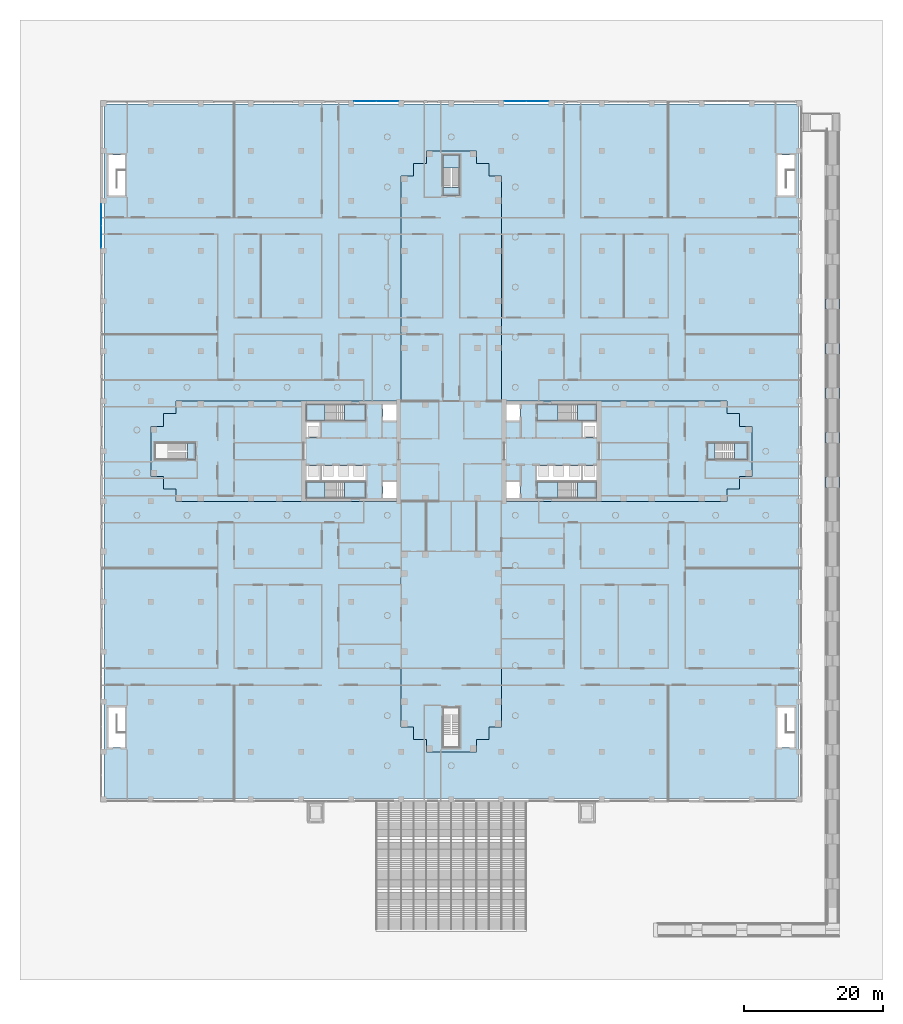
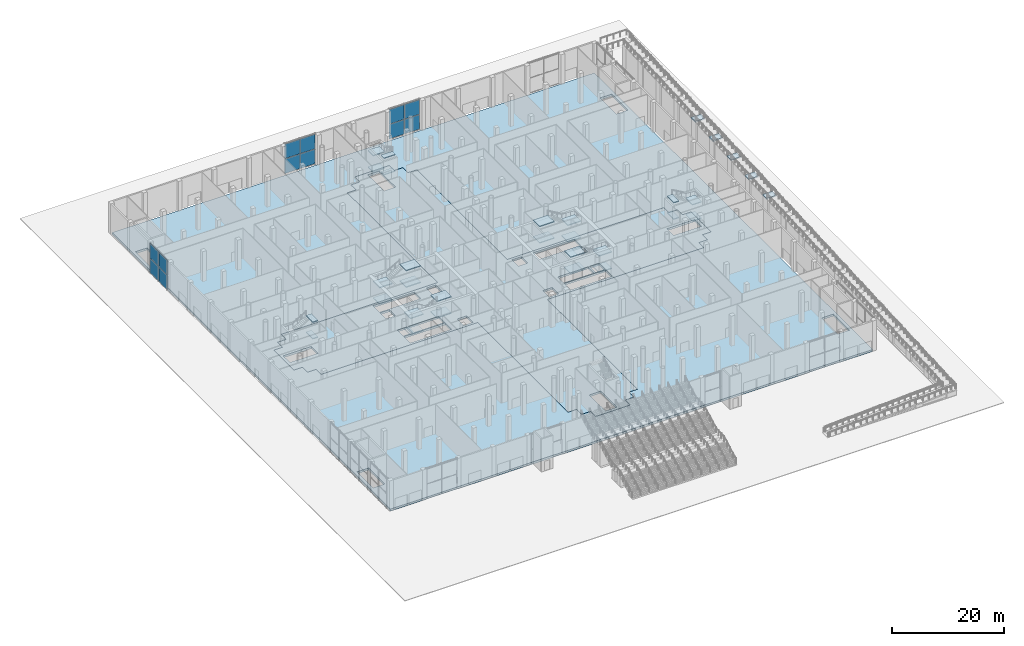
# One storey, part 13 of 44: 33 slabs, 12 plates, 11 elements without a shape of their own.
"""IFC4 building model written with IfcOpenShell, lengths in metres."""

from ifc_helpers import new_model, si_unit, direction, frame, origin, origin_2d, place, context, subcontext, project, spatial, polyline, rectangle, outline, extrude, material, layer, layer_set, type_object, element, aggregate, save


model = new_model("IFC4")

# Units and contexts
model_context = context("Model", 3, precision=1e-05, world=origin(), true_north=direction((0.0, 1.0)))
body_context = subcontext(model_context, "Body", "Model", "MODEL_VIEW")
ifc_project = project(units=[si_unit("LENGTHUNIT", "METRE"), si_unit("AREAUNIT", "SQUARE_METRE"), si_unit("VOLUMEUNIT", "CUBIC_METRE"), si_unit("PLANEANGLEUNIT", "RADIAN"), si_unit("MASSUNIT", "GRAM", prefix="KILO")], contexts=[model_context])

# Site, building, storey
site_placement = place(None, origin())
site = spatial("IfcSite", under=ifc_project, at=site_placement, CompositionType="ELEMENT")
building_placement = place(site_placement, origin())
building = spatial("IfcBuilding", under=site, at=building_placement, Name="Fustian Cross Tower", CompositionType="ELEMENT")
storey_placement = place(building_placement, origin())
storey = spatial("IfcBuildingStorey", under=building, at=storey_placement, Name="L00", CompositionType="ELEMENT", Elevation=0.0)

# Curtain wall, plates
ifc_material_1 = material(Name="Glass", Category="glass")
curtain_wall_type = type_object("IfcCurtainWallType", Name="CW3 CURTAIN WALL", PredefinedType="NOTDEFINED", material=ifc_material_1)
curtain_wall_1_placement = place(storey_placement, origin())
curtain_wall_1 = element("IfcCurtainWall", 1, at=curtain_wall_1_placement, inside=storey, type_object=curtain_wall_type, Name="Curtain wall CW3", PredefinedType="NOTDEFINED")
ifc_material_2 = material(Name="Glass", Category="glass")
ifc_layer_1 = layer(ifc_material_2, 0.028076171875)
ifc_layer_set_1 = layer_set([ifc_layer_1], Name="Glass")
plate_type = type_object("IfcPlateType", Name="CW3 PANEL IGU28", PredefinedType="CURTAIN_PANEL", material=ifc_layer_set_1)
plate_1_placement = place(storey_placement, frame((12.385009765625, 50.320068359375, 0.06005859375), z_axis=(0.0, 0.0, 1.0), x_axis=(-1.0, 0.0, 0.0)))
plate_1 = element("IfcPlate", 2, at=plate_1_placement, type_object=plate_type, Name="CW3 panel 1.1", PredefinedType="CURTAIN_PANEL", context=body_context, shape_type="SweptSolid", body=[
    extrude(rectangle(XDim=3.110107421875, YDim=0.028076171875, at=origin_2d()), origin(), (0.0, 0.0, 1.0), 3.2099609375),
])
plate_2_placement = place(storey_placement, frame((12.385009765625, 50.320068359375, 3.330078125), z_axis=(0.0, 0.0, 1.0), x_axis=(-1.0, 0.0, 0.0)))
plate_2 = element("IfcPlate", 3, at=plate_2_placement, type_object=plate_type, Name="CW3 panel 1.2", PredefinedType="CURTAIN_PANEL", context=body_context, shape_type="SweptSolid", body=[
    extrude(rectangle(XDim=3.110107421875, YDim=0.028076171875, at=origin_2d()), origin(), (0.0, 0.0, 1.0), 3.2099609375),
])
plate_3_placement = place(storey_placement, frame((9.215087890625, 50.320068359375, 0.06005859375), z_axis=(0.0, 0.0, 1.0), x_axis=(-1.0, 0.0, 0.0)))
plate_3 = element("IfcPlate", 4, at=plate_3_placement, type_object=plate_type, Name="CW3 panel 2.1", PredefinedType="CURTAIN_PANEL", context=body_context, shape_type="SweptSolid", body=[
    extrude(rectangle(XDim=3.110107421875, YDim=0.028076171875, at=origin_2d()), origin(), (0.0, 0.0, 1.0), 3.2099609375),
])
plate_4_placement = place(storey_placement, frame((9.215087890625, 50.320068359375, 3.330078125), z_axis=(0.0, 0.0, 1.0), x_axis=(-1.0, 0.0, 0.0)))
plate_4 = element("IfcPlate", 5, at=plate_4_placement, type_object=plate_type, Name="CW3 panel 2.2", PredefinedType="CURTAIN_PANEL", context=body_context, shape_type="SweptSolid", body=[
    extrude(rectangle(XDim=3.110107421875, YDim=0.028076171875, at=origin_2d()), origin(), (0.0, 0.0, 1.0), 3.2099609375),
])
aggregate(curtain_wall_1, [plate_1, plate_2, plate_3, plate_4])

curtain_wall_2_placement = place(storey_placement, origin())
curtain_wall_2 = element("IfcCurtainWall", 6, at=curtain_wall_2_placement, inside=storey, type_object=curtain_wall_type, Name="Curtain wall CW3", PredefinedType="NOTDEFINED")
plate_5_placement = place(storey_placement, frame((-9.215087890625, 50.320068359375, 0.06005859375), z_axis=(0.0, 0.0, 1.0), x_axis=(-1.0, 0.0, 0.0)))
plate_5 = element("IfcPlate", 7, at=plate_5_placement, type_object=plate_type, Name="CW3 panel 1.1", PredefinedType="CURTAIN_PANEL", context=body_context, shape_type="SweptSolid", body=[
    extrude(rectangle(XDim=3.110107421875, YDim=0.028076171875, at=origin_2d()), origin(), (0.0, 0.0, 1.0), 3.2099609375),
])
plate_6_placement = place(storey_placement, frame((-9.215087890625, 50.320068359375, 3.330078125), z_axis=(0.0, 0.0, 1.0), x_axis=(-1.0, 0.0, 0.0)))
plate_6 = element("IfcPlate", 8, at=plate_6_placement, type_object=plate_type, Name="CW3 panel 1.2", PredefinedType="CURTAIN_PANEL", context=body_context, shape_type="SweptSolid", body=[
    extrude(rectangle(XDim=3.110107421875, YDim=0.028076171875, at=origin_2d()), origin(), (0.0, 0.0, 1.0), 3.2099609375),
])
plate_7_placement = place(storey_placement, frame((-12.385009765625, 50.320068359375, 0.06005859375), z_axis=(0.0, 0.0, 1.0), x_axis=(-1.0, 0.0, 0.0)))
plate_7 = element("IfcPlate", 9, at=plate_7_placement, type_object=plate_type, Name="CW3 panel 2.1", PredefinedType="CURTAIN_PANEL", context=body_context, shape_type="SweptSolid", body=[
    extrude(rectangle(XDim=3.110107421875, YDim=0.028076171875, at=origin_2d()), origin(), (0.0, 0.0, 1.0), 3.2099609375),
])
plate_8_placement = place(storey_placement, frame((-12.385009765625, 50.320068359375, 3.330078125), z_axis=(0.0, 0.0, 1.0), x_axis=(-1.0, 0.0, 0.0)))
plate_8 = element("IfcPlate", 10, at=plate_8_placement, type_object=plate_type, Name="CW3 panel 2.2", PredefinedType="CURTAIN_PANEL", context=body_context, shape_type="SweptSolid", body=[
    extrude(rectangle(XDim=3.110107421875, YDim=0.028076171875, at=origin_2d()), origin(), (0.0, 0.0, 1.0), 3.2099609375),
])
aggregate(curtain_wall_2, [plate_5, plate_6, plate_7, plate_8])

curtain_wall_3_placement = place(storey_placement, origin())
curtain_wall_3 = element("IfcCurtainWall", 11, at=curtain_wall_3_placement, inside=storey, type_object=curtain_wall_type, Name="Curtain wall CW3", PredefinedType="NOTDEFINED")
plate_9_placement = place(storey_placement, frame((-50.320068359375, 33.985107421875, 0.06005859375), z_axis=(0.0, 0.0, 1.0), x_axis=(0.0, -1.0, 0.0)))
plate_9 = element("IfcPlate", 12, at=plate_9_placement, type_object=plate_type, Name="CW3 panel 1.1", PredefinedType="CURTAIN_PANEL", context=body_context, shape_type="SweptSolid", body=[
    extrude(rectangle(XDim=3.110107421875, YDim=0.028076171875, at=origin_2d()), origin(), (0.0, 0.0, 1.0), 3.2099609375),
])
plate_10_placement = place(storey_placement, frame((-50.320068359375, 33.985107421875, 3.330078125), z_axis=(0.0, 0.0, 1.0), x_axis=(0.0, -1.0, 0.0)))
plate_10 = element("IfcPlate", 13, at=plate_10_placement, type_object=plate_type, Name="CW3 panel 1.2", PredefinedType="CURTAIN_PANEL", context=body_context, shape_type="SweptSolid", body=[
    extrude(rectangle(XDim=3.110107421875, YDim=0.028076171875, at=origin_2d()), origin(), (0.0, 0.0, 1.0), 3.2099609375),
])
plate_11_placement = place(storey_placement, frame((-50.320068359375, 30.81494140625, 0.06005859375), z_axis=(0.0, 0.0, 1.0), x_axis=(0.0, -1.0, 0.0)))
plate_11 = element("IfcPlate", 14, at=plate_11_placement, type_object=plate_type, Name="CW3 panel 2.1", PredefinedType="CURTAIN_PANEL", context=body_context, shape_type="SweptSolid", body=[
    extrude(rectangle(XDim=3.110107421875, YDim=0.028076171875, at=origin_2d()), origin(), (0.0, 0.0, 1.0), 3.2099609375),
])
plate_12_placement = place(storey_placement, frame((-50.320068359375, 30.81494140625, 3.330078125), z_axis=(0.0, 0.0, 1.0), x_axis=(0.0, -1.0, 0.0)))
plate_12 = element("IfcPlate", 15, at=plate_12_placement, type_object=plate_type, Name="CW3 panel 2.2", PredefinedType="CURTAIN_PANEL", context=body_context, shape_type="SweptSolid", body=[
    extrude(rectangle(XDim=3.110107421875, YDim=0.028076171875, at=origin_2d()), origin(), (0.0, 0.0, 1.0), 3.2099609375),
])
aggregate(curtain_wall_3, [plate_9, plate_10, plate_11, plate_12])

# Slabs
ifc_material_3 = material(Name="Concrete C40/50", Category="concrete")
ifc_layer_2 = layer(ifc_material_3, 0.449951171875)
ifc_layer_set_2 = layer_set([ifc_layer_2], Name="Concrete C40/50")
slab_type_1 = type_object("IfcSlabType", Name="FLAT SLAB 450", PredefinedType="FLOOR", material=ifc_layer_set_2)
slab_1_placement = place(storey_placement, frame((0.0, 0.0, -0.449951171875)))
element("IfcSlab", 16, at=slab_1_placement, inside=storey, type_object=slab_type_1, Name="FLOOR SLAB L00-1", PredefinedType="FLOOR", context=body_context, shape_type="SweptSolid", body=[
    extrude(outline(polyline([(7.199951171875, -39.60009765625), (5.39990234375, -39.60009765625), (5.39990234375, -41.39990234375), (3.60009765625, -41.39990234375), (3.60009765625, -43.199951171875), (-3.60009765625, -43.199951171875), (-3.60009765625, -41.39990234375), (-5.39990234375, -41.39990234375), (-5.39990234375, -39.60009765625), (-7.199951171875, -39.60009765625), (-7.199951171875, -7.199951171875), (-39.60009765625, -7.199951171875), (-39.60009765625, -5.39990234375), (-41.39990234375, -5.39990234375), (-41.39990234375, -3.60009765625), (-43.199951171875, -3.60009765625), (-43.199951171875, 3.60009765625), (-41.39990234375, 3.60009765625), (-41.39990234375, 5.39990234375), (-39.60009765625, 5.39990234375), (-39.60009765625, 7.199951171875), (-7.199951171875, 7.199951171875), (-7.199951171875, 39.60009765625), (-5.39990234375, 39.60009765625), (-5.39990234375, 41.39990234375), (-3.60009765625, 41.39990234375), (-3.60009765625, 43.199951171875), (3.60009765625, 43.199951171875), (3.60009765625, 41.39990234375), (5.39990234375, 41.39990234375), (5.39990234375, 39.60009765625), (7.199951171875, 39.60009765625), (7.199951171875, 7.199951171875), (39.60009765625, 7.199951171875), (39.60009765625, 5.39990234375), (41.39990234375, 5.39990234375), (41.39990234375, 3.60009765625), (43.199951171875, 3.60009765625), (43.199951171875, -3.60009765625), (41.39990234375, -3.60009765625), (41.39990234375, -5.39990234375), (39.60009765625, -5.39990234375), (39.60009765625, -7.199951171875), (7.199951171875, -7.199951171875), (7.199951171875, -39.60009765625)]), holes=[polyline([(18.89990234375, -4.14990234375), (20.85009765625, -4.14990234375), (20.85009765625, -2.050048828125), (18.89990234375, -2.050048828125), (18.89990234375, -4.14990234375)]), polyline([(18.89990234375, 4.14990234375), (18.89990234375, 2.050048828125), (20.85009765625, 2.050048828125), (20.85009765625, 4.14990234375), (18.89990234375, 4.14990234375)]), polyline([(9.85009765625, 6.699951171875), (7.89990234375, 6.699951171875), (7.89990234375, 4.39990234375), (9.85009765625, 4.39990234375), (9.85009765625, 6.699951171875)]), polyline([(9.85009765625, -6.699951171875), (9.85009765625, -4.39990234375), (7.89990234375, -4.39990234375), (7.89990234375, -6.699951171875), (9.85009765625, -6.699951171875)]), polyline([(-20.85009765625, -4.14990234375), (-18.89990234375, -4.14990234375), (-18.89990234375, -2.050048828125), (-20.85009765625, -2.050048828125), (-20.85009765625, -4.14990234375)]), polyline([(-20.85009765625, 4.14990234375), (-20.85009765625, 2.050048828125), (-18.89990234375, 2.050048828125), (-18.89990234375, 4.14990234375), (-20.85009765625, 4.14990234375)]), polyline([(-7.89990234375, 6.699951171875), (-9.85009765625, 6.699951171875), (-9.85009765625, 4.39990234375), (-7.89990234375, 4.39990234375), (-7.89990234375, 6.699951171875)]), polyline([(-7.89990234375, -6.699951171875), (-7.89990234375, -4.39990234375), (-9.85009765625, -4.39990234375), (-9.85009765625, -6.699951171875), (-7.89990234375, -6.699951171875)]), polyline([(12.300048828125, -4.14990234375), (18.64990234375, -4.14990234375), (18.64990234375, -2.050048828125), (12.300048828125, -2.050048828125), (12.300048828125, -4.14990234375)]), polyline([(-18.64990234375, -2.050048828125), (-18.64990234375, -4.14990234375), (-12.300048828125, -4.14990234375), (-12.300048828125, -2.050048828125), (-18.64990234375, -2.050048828125)]), polyline([(20.85009765625, 6.699951171875), (12.300048828125, 6.699951171875), (12.300048828125, 4.39990234375), (20.85009765625, 4.39990234375), (20.85009765625, 6.699951171875)]), polyline([(20.85009765625, -6.699951171875), (20.85009765625, -4.39990234375), (12.300048828125, -4.39990234375), (12.300048828125, -6.699951171875), (20.85009765625, -6.699951171875)]), polyline([(-20.85009765625, 4.39990234375), (-12.300048828125, 4.39990234375), (-12.300048828125, 6.699951171875), (-20.85009765625, 6.699951171875), (-20.85009765625, 4.39990234375)]), polyline([(-20.85009765625, -4.39990234375), (-20.85009765625, -6.699951171875), (-12.300048828125, -6.699951171875), (-12.300048828125, -4.39990234375), (-20.85009765625, -4.39990234375)]), polyline([(1.199951171875, 42.60009765625), (-1.199951171875, 42.60009765625), (-1.199951171875, 36.800048828125), (1.199951171875, 36.800048828125), (1.199951171875, 42.60009765625)]), polyline([(1.199951171875, -42.60009765625), (1.199951171875, -36.800048828125), (-1.199951171875, -36.800048828125), (-1.199951171875, -42.60009765625), (1.199951171875, -42.60009765625)]), polyline([(36.800048828125, -1.199951171875), (42.60009765625, -1.199951171875), (42.60009765625, 1.199951171875), (36.800048828125, 1.199951171875), (36.800048828125, -1.199951171875)]), polyline([(-42.60009765625, 1.199951171875), (-42.60009765625, -1.199951171875), (-36.800048828125, -1.199951171875), (-36.800048828125, 1.199951171875), (-42.60009765625, 1.199951171875)])]), origin(), (0.0, 0.0, 1.0), 0.449951171875),
])
slab_2_placement = place(storey_placement, frame((0.0, 0.0, -0.449951171875)))
element("IfcSlab", 17, at=slab_2_placement, inside=storey, type_object=slab_type_1, Name="FLOOR SLAB L00-2", PredefinedType="FLOOR", context=body_context, shape_type="SweptSolid", body=[
    extrude(outline(polyline([(49.89990234375, 49.89990234375), (49.89990234375, -49.89990234375), (-49.89990234375, -49.89990234375), (-49.89990234375, 49.89990234375), (49.89990234375, 49.89990234375)]), holes=[polyline([(49.300048828125, 42.60009765625), (46.89990234375, 42.60009765625), (46.89990234375, 36.800048828125), (49.300048828125, 36.800048828125), (49.300048828125, 42.60009765625)]), polyline([(-46.89990234375, 36.800048828125), (-46.89990234375, 42.60009765625), (-49.300048828125, 42.60009765625), (-49.300048828125, 36.800048828125), (-46.89990234375, 36.800048828125)]), polyline([(46.89990234375, -42.60009765625), (49.300048828125, -42.60009765625), (49.300048828125, -36.800048828125), (46.89990234375, -36.800048828125), (46.89990234375, -42.60009765625)]), polyline([(-49.300048828125, -36.800048828125), (-49.300048828125, -42.60009765625), (-46.89990234375, -42.60009765625), (-46.89990234375, -36.800048828125), (-49.300048828125, -36.800048828125)]), polyline([(7.199951171875, -7.199951171875), (39.60009765625, -7.199951171875), (39.60009765625, -5.39990234375), (41.39990234375, -5.39990234375), (41.39990234375, -3.60009765625), (43.199951171875, -3.60009765625), (43.199951171875, 3.60009765625), (41.39990234375, 3.60009765625), (41.39990234375, 5.39990234375), (39.60009765625, 5.39990234375), (39.60009765625, 7.199951171875), (7.199951171875, 7.199951171875), (7.199951171875, 39.60009765625), (5.39990234375, 39.60009765625), (5.39990234375, 41.39990234375), (3.60009765625, 41.39990234375), (3.60009765625, 43.199951171875), (-3.60009765625, 43.199951171875), (-3.60009765625, 41.39990234375), (-5.39990234375, 41.39990234375), (-5.39990234375, 39.60009765625), (-7.199951171875, 39.60009765625), (-7.199951171875, 7.199951171875), (-39.60009765625, 7.199951171875), (-39.60009765625, 5.39990234375), (-41.39990234375, 5.39990234375), (-41.39990234375, 3.60009765625), (-43.199951171875, 3.60009765625), (-43.199951171875, -3.60009765625), (-41.39990234375, -3.60009765625), (-41.39990234375, -5.39990234375), (-39.60009765625, -5.39990234375), (-39.60009765625, -7.199951171875), (-7.199951171875, -7.199951171875), (-7.199951171875, -39.60009765625), (-5.39990234375, -39.60009765625), (-5.39990234375, -41.39990234375), (-3.60009765625, -41.39990234375), (-3.60009765625, -43.199951171875), (3.60009765625, -43.199951171875), (3.60009765625, -41.39990234375), (5.39990234375, -41.39990234375), (5.39990234375, -39.60009765625), (7.199951171875, -39.60009765625), (7.199951171875, -7.199951171875)])]), origin(), (0.0, 0.0, 1.0), 0.449951171875),
])

# Ramp, slabs
ifc_material_4 = material(Name="Concrete C40/50", Category="concrete")
ramp_placement = place(storey_placement, origin())
ramp = element("IfcRamp", 18, at=ramp_placement, inside=storey, material=ifc_material_4, Name="Public ramp", PredefinedType="STRAIGHT_RUN_RAMP")
ifc_material_5 = material(Name="Concrete C40/50", Category="concrete")
ifc_layer_3 = layer(ifc_material_5, 0.25)
ifc_layer_set_3 = layer_set([ifc_layer_3], Name="Concrete C40/50")
slab_type_2 = type_object("IfcSlabType", Name="RL1 RAMP LANDING 250", PredefinedType="LANDING", material=ifc_layer_set_3)
slab_3_placement = place(storey_placement, frame((0.0, 0.0, 4.328857421875)))
slab_3 = element("IfcSlab", 19, at=slab_3_placement, type_object=slab_type_2, Name="Ramp landing 14", PredefinedType="LANDING", context=body_context, shape_type="SweptSolid", body=[
    extrude(outline(polyline([(53.800048828125, -5.208984375), (55.800048828125, -5.208984375), (55.800048828125, -3.708984375), (53.800048828125, -3.708984375), (53.800048828125, -5.208984375)])), origin(), (0.0, 0.0, 1.0), 0.2529296875),
])
slab_4_placement = place(storey_placement, frame((0.0, 0.0, 4.656005859375)))
slab_4 = element("IfcSlab", 20, at=slab_4_placement, type_object=slab_type_2, Name="Ramp landing 15", PredefinedType="LANDING", context=body_context, shape_type="SweptSolid", body=[
    extrude(outline(polyline([(53.800048828125, 1.199951171875), (55.800048828125, 1.199951171875), (55.800048828125, 2.699951171875), (53.800048828125, 2.699951171875), (53.800048828125, 1.199951171875)])), origin(), (0.0, 0.0, 1.0), 0.253173828125),
])
slab_5_placement = place(storey_placement, frame((0.0, 0.0, 4.9833984375)))
slab_5 = element("IfcSlab", 21, at=slab_5_placement, type_object=slab_type_2, Name="Ramp landing 16", PredefinedType="LANDING", context=body_context, shape_type="SweptSolid", body=[
    extrude(outline(polyline([(53.800048828125, 7.609130859375), (55.800048828125, 7.609130859375), (55.800048828125, 9.109130859375), (53.800048828125, 9.109130859375), (53.800048828125, 7.609130859375)])), origin(), (0.0, 0.0, 1.0), 0.2529296875),
])
slab_6_placement = place(storey_placement, frame((0.0, 0.0, 5.310546875)))
slab_6 = element("IfcSlab", 22, at=slab_6_placement, type_object=slab_type_2, Name="Ramp landing 17", PredefinedType="LANDING", context=body_context, shape_type="SweptSolid", body=[
    extrude(outline(polyline([(53.800048828125, 14.01806640625), (55.800048828125, 14.01806640625), (55.800048828125, 15.51806640625), (53.800048828125, 15.51806640625), (53.800048828125, 14.01806640625)])), origin(), (0.0, 0.0, 1.0), 0.253173828125),
])
slab_7_placement = place(storey_placement, frame((0.0, 0.0, 5.637939453125)))
slab_7 = element("IfcSlab", 23, at=slab_7_placement, type_object=slab_type_2, Name="Ramp landing 18", PredefinedType="LANDING", context=body_context, shape_type="SweptSolid", body=[
    extrude(outline(polyline([(53.800048828125, 20.42724609375), (55.800048828125, 20.42724609375), (55.800048828125, 21.92724609375), (53.800048828125, 21.92724609375), (53.800048828125, 20.42724609375)])), origin(), (0.0, 0.0, 1.0), 0.2529296875),
])
aggregate(ramp, [slab_3, slab_4, slab_5, slab_6, slab_7])

# Stair, slabs
ifc_material_6 = material(Name="Concrete C50/60", Category="concrete")
stair_type_1 = type_object("IfcStairType", Name="STAIR 1150 HALF TURN", PredefinedType="HALF_TURN_STAIR", material=ifc_material_6)
stair_1_placement = place(storey_placement, origin())
stair_1 = element("IfcStair", 24, at=stair_1_placement, inside=storey, type_object=stair_type_1, Name="Stair ST1", PredefinedType="HALF_TURN_STAIR")
ifc_material_7 = material(Name="Concrete C50/60", Category="concrete")
ifc_layer_4 = layer(ifc_material_7, 0.199951171875)
ifc_layer_set_4 = layer_set([ifc_layer_4], Name="Concrete C50/60")
slab_type_3 = type_object("IfcSlabType", Name="STAIR LANDING", PredefinedType="LANDING", material=ifc_layer_set_4)
slab_8_placement = place(storey_placement, frame((0.0, 0.0, 1.60009765625)))
slab_8 = element("IfcSlab", 25, at=slab_8_placement, type_object=slab_type_3, Name="ST1 landing 1", PredefinedType="LANDING", context=body_context, shape_type="SweptSolid", body=[
    extrude(outline(polyline([(18.14990234375, 4.39990234375), (20.85009765625, 4.39990234375), (20.85009765625, 6.699951171875), (18.14990234375, 6.699951171875), (18.14990234375, 4.39990234375)])), origin(), (0.0, 0.0, 1.0), 0.199951171875),
])
slab_9_placement = place(storey_placement, frame((0.0, 0.0, 3.39990234375)))
slab_9 = element("IfcSlab", 26, at=slab_9_placement, type_object=slab_type_3, Name="ST1 landing 2", PredefinedType="LANDING", context=body_context, shape_type="SweptSolid", body=[
    extrude(outline(polyline([(12.300048828125, 4.39990234375), (15.35009765625, 4.39990234375), (15.35009765625, 6.699951171875), (12.300048828125, 6.699951171875), (12.300048828125, 4.39990234375)])), origin(), (0.0, 0.0, 1.0), 0.2001953125),
])
slab_10_placement = place(storey_placement, frame((0.0, 0.0, 5.199951171875)))
slab_10 = element("IfcSlab", 27, at=slab_10_placement, type_object=slab_type_3, Name="ST1 landing 3", PredefinedType="LANDING", context=body_context, shape_type="SweptSolid", body=[
    extrude(outline(polyline([(18.14990234375, 4.39990234375), (20.85009765625, 4.39990234375), (20.85009765625, 6.699951171875), (18.14990234375, 6.699951171875), (18.14990234375, 4.39990234375)])), origin(), (0.0, 0.0, 1.0), 0.199951171875),
])
slab_11_placement = place(storey_placement, frame((0.0, 0.0, 7.0)))
slab_11 = element("IfcSlab", 28, at=slab_11_placement, type_object=slab_type_3, Name="ST1 landing 4", PredefinedType="LANDING", context=body_context, shape_type="SweptSolid", body=[
    extrude(outline(polyline([(12.300048828125, 4.39990234375), (15.35009765625, 4.39990234375), (15.35009765625, 6.699951171875), (12.300048828125, 6.699951171875), (12.300048828125, 4.39990234375)])), origin(), (0.0, 0.0, 1.0), 0.199951171875),
])
aggregate(stair_1, [slab_8, slab_9, slab_10, slab_11])

stair_2_placement = place(storey_placement, origin())
stair_2 = element("IfcStair", 29, at=stair_2_placement, inside=storey, type_object=stair_type_1, Name="Stair ST2", PredefinedType="HALF_TURN_STAIR")
slab_12_placement = place(storey_placement, frame((0.0, 0.0, 1.60009765625)))
slab_12 = element("IfcSlab", 30, at=slab_12_placement, type_object=slab_type_3, Name="ST2 landing 1", PredefinedType="LANDING", context=body_context, shape_type="SweptSolid", body=[
    extrude(outline(polyline([(18.14990234375, -4.39990234375), (20.85009765625, -4.39990234375), (20.85009765625, -6.699951171875), (18.14990234375, -6.699951171875), (18.14990234375, -4.39990234375)])), origin(), (0.0, 0.0, 1.0), 0.199951171875),
])
slab_13_placement = place(storey_placement, frame((0.0, 0.0, 3.39990234375)))
slab_13 = element("IfcSlab", 31, at=slab_13_placement, type_object=slab_type_3, Name="ST2 landing 2", PredefinedType="LANDING", context=body_context, shape_type="SweptSolid", body=[
    extrude(outline(polyline([(12.300048828125, -4.39990234375), (15.35009765625, -4.39990234375), (15.35009765625, -6.699951171875), (12.300048828125, -6.699951171875), (12.300048828125, -4.39990234375)])), origin(), (0.0, 0.0, 1.0), 0.2001953125),
])
slab_14_placement = place(storey_placement, frame((0.0, 0.0, 5.199951171875)))
slab_14 = element("IfcSlab", 32, at=slab_14_placement, type_object=slab_type_3, Name="ST2 landing 3", PredefinedType="LANDING", context=body_context, shape_type="SweptSolid", body=[
    extrude(outline(polyline([(18.14990234375, -4.39990234375), (20.85009765625, -4.39990234375), (20.85009765625, -6.699951171875), (18.14990234375, -6.699951171875), (18.14990234375, -4.39990234375)])), origin(), (0.0, 0.0, 1.0), 0.199951171875),
])
slab_15_placement = place(storey_placement, frame((0.0, 0.0, 7.0)))
slab_15 = element("IfcSlab", 33, at=slab_15_placement, type_object=slab_type_3, Name="ST2 landing 4", PredefinedType="LANDING", context=body_context, shape_type="SweptSolid", body=[
    extrude(outline(polyline([(12.300048828125, -4.39990234375), (15.35009765625, -4.39990234375), (15.35009765625, -6.699951171875), (12.300048828125, -6.699951171875), (12.300048828125, -4.39990234375)])), origin(), (0.0, 0.0, 1.0), 0.199951171875),
])
aggregate(stair_2, [slab_12, slab_13, slab_14, slab_15])

stair_3_placement = place(storey_placement, origin())
stair_3 = element("IfcStair", 34, at=stair_3_placement, inside=storey, type_object=stair_type_1, Name="Stair ST3", PredefinedType="HALF_TURN_STAIR")
slab_16_placement = place(storey_placement, frame((0.0, 0.0, 1.60009765625)))
slab_16 = element("IfcSlab", 35, at=slab_16_placement, type_object=slab_type_3, Name="ST3 landing 1", PredefinedType="LANDING", context=body_context, shape_type="SweptSolid", body=[
    extrude(outline(polyline([(-18.14990234375, 4.39990234375), (-20.85009765625, 4.39990234375), (-20.85009765625, 6.699951171875), (-18.14990234375, 6.699951171875), (-18.14990234375, 4.39990234375)])), origin(), (0.0, 0.0, 1.0), 0.199951171875),
])
slab_17_placement = place(storey_placement, frame((0.0, 0.0, 3.39990234375)))
slab_17 = element("IfcSlab", 36, at=slab_17_placement, type_object=slab_type_3, Name="ST3 landing 2", PredefinedType="LANDING", context=body_context, shape_type="SweptSolid", body=[
    extrude(outline(polyline([(-12.300048828125, 4.39990234375), (-15.35009765625, 4.39990234375), (-15.35009765625, 6.699951171875), (-12.300048828125, 6.699951171875), (-12.300048828125, 4.39990234375)])), origin(), (0.0, 0.0, 1.0), 0.2001953125),
])
slab_18_placement = place(storey_placement, frame((0.0, 0.0, 5.199951171875)))
slab_18 = element("IfcSlab", 37, at=slab_18_placement, type_object=slab_type_3, Name="ST3 landing 3", PredefinedType="LANDING", context=body_context, shape_type="SweptSolid", body=[
    extrude(outline(polyline([(-18.14990234375, 4.39990234375), (-20.85009765625, 4.39990234375), (-20.85009765625, 6.699951171875), (-18.14990234375, 6.699951171875), (-18.14990234375, 4.39990234375)])), origin(), (0.0, 0.0, 1.0), 0.199951171875),
])
slab_19_placement = place(storey_placement, frame((0.0, 0.0, 7.0)))
slab_19 = element("IfcSlab", 38, at=slab_19_placement, type_object=slab_type_3, Name="ST3 landing 4", PredefinedType="LANDING", context=body_context, shape_type="SweptSolid", body=[
    extrude(outline(polyline([(-12.300048828125, 4.39990234375), (-15.35009765625, 4.39990234375), (-15.35009765625, 6.699951171875), (-12.300048828125, 6.699951171875), (-12.300048828125, 4.39990234375)])), origin(), (0.0, 0.0, 1.0), 0.199951171875),
])
aggregate(stair_3, [slab_16, slab_17, slab_18, slab_19])

stair_4_placement = place(storey_placement, origin())
stair_4 = element("IfcStair", 39, at=stair_4_placement, inside=storey, type_object=stair_type_1, Name="Stair ST4", PredefinedType="HALF_TURN_STAIR")
slab_20_placement = place(storey_placement, frame((0.0, 0.0, 1.60009765625)))
slab_20 = element("IfcSlab", 40, at=slab_20_placement, type_object=slab_type_3, Name="ST4 landing 1", PredefinedType="LANDING", context=body_context, shape_type="SweptSolid", body=[
    extrude(outline(polyline([(-18.14990234375, -4.39990234375), (-20.85009765625, -4.39990234375), (-20.85009765625, -6.699951171875), (-18.14990234375, -6.699951171875), (-18.14990234375, -4.39990234375)])), origin(), (0.0, 0.0, 1.0), 0.199951171875),
])
slab_21_placement = place(storey_placement, frame((0.0, 0.0, 3.39990234375)))
slab_21 = element("IfcSlab", 41, at=slab_21_placement, type_object=slab_type_3, Name="ST4 landing 2", PredefinedType="LANDING", context=body_context, shape_type="SweptSolid", body=[
    extrude(outline(polyline([(-12.300048828125, -4.39990234375), (-15.35009765625, -4.39990234375), (-15.35009765625, -6.699951171875), (-12.300048828125, -6.699951171875), (-12.300048828125, -4.39990234375)])), origin(), (0.0, 0.0, 1.0), 0.2001953125),
])
slab_22_placement = place(storey_placement, frame((0.0, 0.0, 5.199951171875)))
slab_22 = element("IfcSlab", 42, at=slab_22_placement, type_object=slab_type_3, Name="ST4 landing 3", PredefinedType="LANDING", context=body_context, shape_type="SweptSolid", body=[
    extrude(outline(polyline([(-18.14990234375, -4.39990234375), (-20.85009765625, -4.39990234375), (-20.85009765625, -6.699951171875), (-18.14990234375, -6.699951171875), (-18.14990234375, -4.39990234375)])), origin(), (0.0, 0.0, 1.0), 0.199951171875),
])
slab_23_placement = place(storey_placement, frame((0.0, 0.0, 7.0)))
slab_23 = element("IfcSlab", 43, at=slab_23_placement, type_object=slab_type_3, Name="ST4 landing 4", PredefinedType="LANDING", context=body_context, shape_type="SweptSolid", body=[
    extrude(outline(polyline([(-12.300048828125, -4.39990234375), (-15.35009765625, -4.39990234375), (-15.35009765625, -6.699951171875), (-12.300048828125, -6.699951171875), (-12.300048828125, -4.39990234375)])), origin(), (0.0, 0.0, 1.0), 0.199951171875),
])
aggregate(stair_4, [slab_20, slab_21, slab_22, slab_23])

ifc_material_8 = material(Name="Concrete C50/60", Category="concrete")
stair_type_2 = type_object("IfcStairType", Name="STAIR 1100 HALF TURN", PredefinedType="HALF_TURN_STAIR", material=ifc_material_8)
stair_5_placement = place(storey_placement, origin())
stair_5 = element("IfcStair", 44, at=stair_5_placement, inside=storey, type_object=stair_type_2, Name="Stair ST5", PredefinedType="HALF_TURN_STAIR")
slab_24_placement = place(storey_placement, frame((0.0, 0.0, 1.60009765625)))
slab_24 = element("IfcSlab", 45, at=slab_24_placement, type_object=slab_type_3, Name="ST5 landing 1", PredefinedType="LANDING", context=body_context, shape_type="SweptSolid", body=[
    extrude(outline(polyline([(-1.199951171875, 40.699951171875), (-1.199951171875, 42.60009765625), (1.199951171875, 42.60009765625), (1.199951171875, 40.699951171875), (-1.199951171875, 40.699951171875)])), origin(), (0.0, 0.0, 1.0), 0.199951171875),
])
slab_25_placement = place(storey_placement, frame((0.0, 0.0, 3.39990234375)))
slab_25 = element("IfcSlab", 46, at=slab_25_placement, type_object=slab_type_3, Name="ST5 landing 2", PredefinedType="LANDING", context=body_context, shape_type="SweptSolid", body=[
    extrude(outline(polyline([(-1.199951171875, 36.800048828125), (-1.199951171875, 37.89990234375), (1.199951171875, 37.89990234375), (1.199951171875, 36.800048828125), (-1.199951171875, 36.800048828125)])), origin(), (0.0, 0.0, 1.0), 0.2001953125),
])
slab_26_placement = place(storey_placement, frame((0.0, 0.0, 5.199951171875)))
slab_26 = element("IfcSlab", 47, at=slab_26_placement, type_object=slab_type_3, Name="ST5 landing 3", PredefinedType="LANDING", context=body_context, shape_type="SweptSolid", body=[
    extrude(outline(polyline([(-1.199951171875, 40.699951171875), (-1.199951171875, 42.60009765625), (1.199951171875, 42.60009765625), (1.199951171875, 40.699951171875), (-1.199951171875, 40.699951171875)])), origin(), (0.0, 0.0, 1.0), 0.199951171875),
])
slab_27_placement = place(storey_placement, frame((0.0, 0.0, 7.0)))
slab_27 = element("IfcSlab", 48, at=slab_27_placement, type_object=slab_type_3, Name="ST5 landing 4", PredefinedType="LANDING", context=body_context, shape_type="SweptSolid", body=[
    extrude(outline(polyline([(-1.199951171875, 36.800048828125), (-1.199951171875, 37.89990234375), (1.199951171875, 37.89990234375), (1.199951171875, 36.800048828125), (-1.199951171875, 36.800048828125)])), origin(), (0.0, 0.0, 1.0), 0.199951171875),
])
aggregate(stair_5, [slab_24, slab_25, slab_26, slab_27])

stair_6_placement = place(storey_placement, origin())
stair_6 = element("IfcStair", 49, at=stair_6_placement, inside=storey, type_object=stair_type_2, Name="Stair ST8", PredefinedType="HALF_TURN_STAIR")
slab_28_placement = place(storey_placement, frame((0.0, 0.0, 1.60009765625)))
slab_28 = element("IfcSlab", 50, at=slab_28_placement, type_object=slab_type_3, Name="ST8 landing 1", PredefinedType="LANDING", context=body_context, shape_type="SweptSolid", body=[
    extrude(outline(polyline([(40.699951171875, -1.199951171875), (42.60009765625, -1.199951171875), (42.60009765625, 1.199951171875), (40.699951171875, 1.199951171875), (40.699951171875, -1.199951171875)])), origin(), (0.0, 0.0, 1.0), 0.199951171875),
])
slab_29_placement = place(storey_placement, frame((0.0, 0.0, 3.39990234375)))
slab_29 = element("IfcSlab", 51, at=slab_29_placement, type_object=slab_type_3, Name="ST8 landing 2", PredefinedType="LANDING", context=body_context, shape_type="SweptSolid", body=[
    extrude(outline(polyline([(36.800048828125, -1.199951171875), (37.89990234375, -1.199951171875), (37.89990234375, 1.199951171875), (36.800048828125, 1.199951171875), (36.800048828125, -1.199951171875)])), origin(), (0.0, 0.0, 1.0), 0.2001953125),
])
slab_30_placement = place(storey_placement, frame((0.0, 0.0, 5.199951171875)))
slab_30 = element("IfcSlab", 52, at=slab_30_placement, type_object=slab_type_3, Name="ST8 landing 3", PredefinedType="LANDING", context=body_context, shape_type="SweptSolid", body=[
    extrude(outline(polyline([(40.699951171875, -1.199951171875), (42.60009765625, -1.199951171875), (42.60009765625, 1.199951171875), (40.699951171875, 1.199951171875), (40.699951171875, -1.199951171875)])), origin(), (0.0, 0.0, 1.0), 0.199951171875),
])
slab_31_placement = place(storey_placement, frame((0.0, 0.0, 7.0)))
slab_31 = element("IfcSlab", 53, at=slab_31_placement, type_object=slab_type_3, Name="ST8 landing 4", PredefinedType="LANDING", context=body_context, shape_type="SweptSolid", body=[
    extrude(outline(polyline([(36.800048828125, -1.199951171875), (37.89990234375, -1.199951171875), (37.89990234375, 1.199951171875), (36.800048828125, 1.199951171875), (36.800048828125, -1.199951171875)])), origin(), (0.0, 0.0, 1.0), 0.199951171875),
])
aggregate(stair_6, [slab_28, slab_29, slab_30, slab_31])

stair_7_placement = place(storey_placement, origin())
stair_7 = element("IfcStair", 54, at=stair_7_placement, inside=storey, type_object=stair_type_2, Name="Stair ST9", PredefinedType="HALF_TURN_STAIR")
slab_32_placement = place(storey_placement, frame((0.0, 0.0, 3.39990234375)))
slab_32 = element("IfcSlab", 55, at=slab_32_placement, type_object=slab_type_3, Name="ST9 landing 2", PredefinedType="LANDING", context=body_context, shape_type="SweptSolid", body=[
    extrude(outline(polyline([(-36.800048828125, -1.199951171875), (-37.89990234375, -1.199951171875), (-37.89990234375, 1.199951171875), (-36.800048828125, 1.199951171875), (-36.800048828125, -1.199951171875)])), origin(), (0.0, 0.0, 1.0), 0.2001953125),
])
slab_33_placement = place(storey_placement, frame((0.0, 0.0, 7.0)))
slab_33 = element("IfcSlab", 56, at=slab_33_placement, type_object=slab_type_3, Name="ST9 landing 4", PredefinedType="LANDING", context=body_context, shape_type="SweptSolid", body=[
    extrude(outline(polyline([(-36.800048828125, -1.199951171875), (-37.89990234375, -1.199951171875), (-37.89990234375, 1.199951171875), (-36.800048828125, 1.199951171875), (-36.800048828125, -1.199951171875)])), origin(), (0.0, 0.0, 1.0), 0.199951171875),
])
aggregate(stair_7, [slab_32, slab_33])

save(model, "model.ifc")
